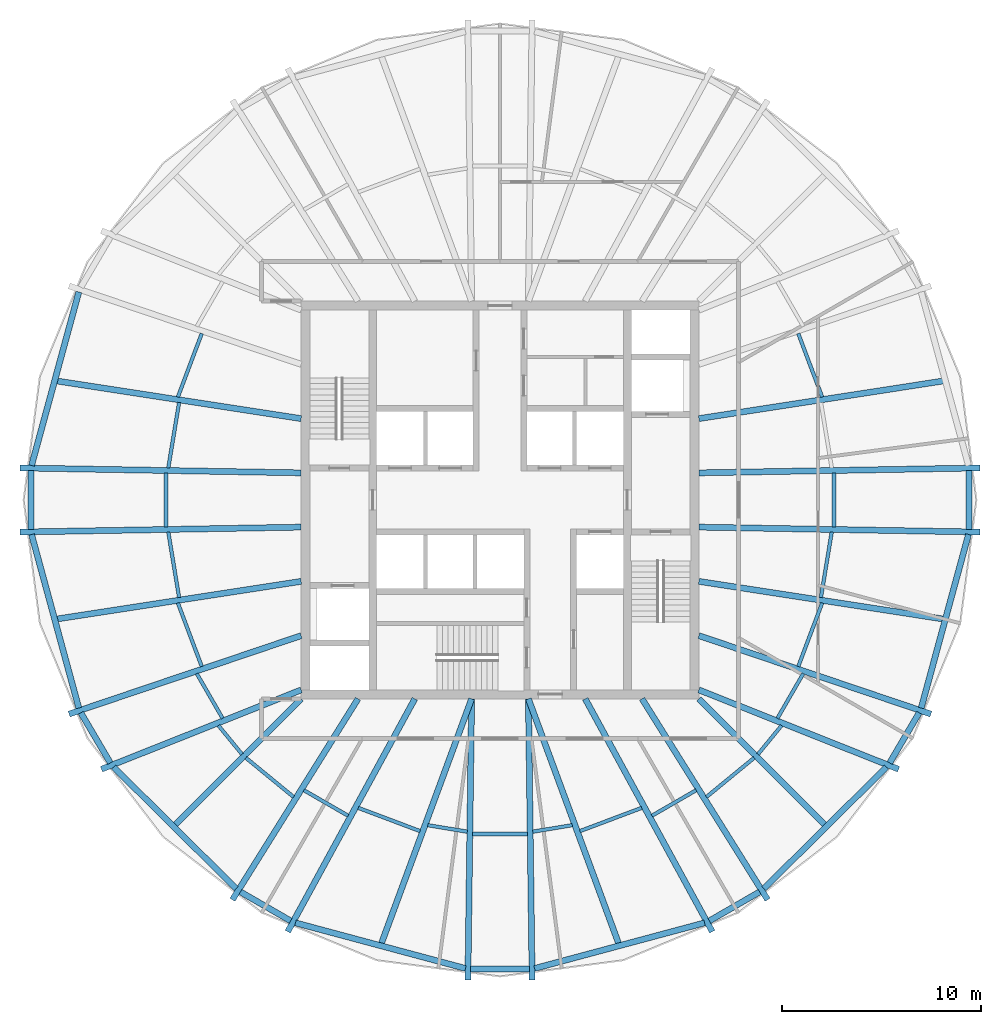
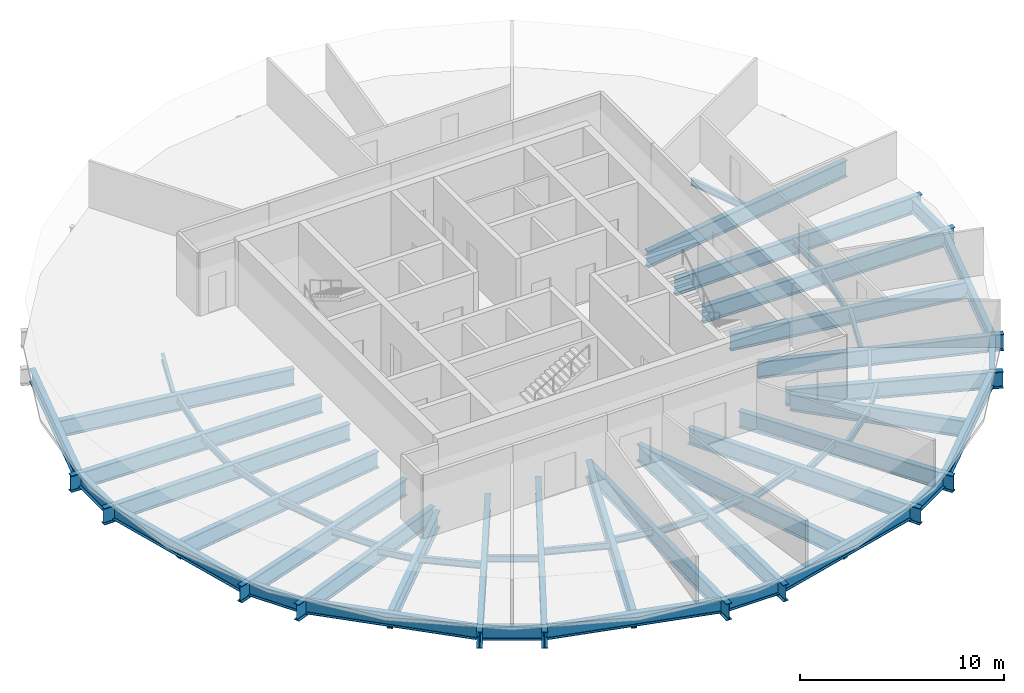
# One storey, part 1 of 6: 58 beams.
"""IFC4 building model written with IfcOpenShell, lengths in metres."""

from ifc_helpers import new_model, si_unit, direction, frame, origin, origin_2d, place, context, subcontext, project, spatial, i_section, extrude, material, material_profile, profile_set, type_object, element, save


model = new_model("IFC4")

# Units and contexts
model_context = context("Model", 3, precision=1e-05, world=origin(), true_north=direction((0.0, 1.0)))
body_context = subcontext(model_context, "Body", "Model", "MODEL_VIEW")
ifc_project = project(units=[si_unit("LENGTHUNIT", "METRE"), si_unit("AREAUNIT", "SQUARE_METRE"), si_unit("VOLUMEUNIT", "CUBIC_METRE"), si_unit("PLANEANGLEUNIT", "RADIAN"), si_unit("MASSUNIT", "GRAM", prefix="KILO")], contexts=[model_context])

# Site, building, storey
site_placement = place(None, origin())
site = spatial("IfcSite", under=ifc_project, at=site_placement, CompositionType="ELEMENT")
building_placement = place(site_placement, origin())
building = spatial("IfcBuilding", under=site, at=building_placement, Name="Golbaran Civic Tower", CompositionType="ELEMENT")
storey_placement = place(building_placement, frame((0.0, 0.0, 179.0)))
storey = spatial("IfcBuildingStorey", under=building, at=storey_placement, Name="L43", CompositionType="ELEMENT", Elevation=179.0)

# Beams
ifc_material = material(Name="Steel S355", Category="steel")
ifc_material_profile_1 = material_profile(ifc_material, i_section(OverallWidth=0.300048828125, OverallDepth=0.800048828125, WebThickness=0.017578125, FlangeThickness=0.032958984375, FilletRadius=0.030029296875, at=origin_2d()), Name="HEB 800")
ifc_profile_set_1 = profile_set([ifc_material_profile_1], Name="Steel S355")
beam_type_1 = type_object("IfcBeamType", Name="EDGE BEAM HEB 800", PredefinedType="BEAM", material=ifc_profile_set_1)
beam_1_placement = place(storey_placement, frame((-21.17919921875, 10.46044921875, -0.60009765625), z_axis=(-0.262877631047, -0.96482918234, 0.0), x_axis=(0.96482918234, -0.262877631047, 0.0)))
element("IfcBeam", 1, at=beam_1_placement, inside=storey, type_object=beam_type_1, Name="Edge beam 153.76 L43", PredefinedType="BEAM", context=body_context, shape_type="SweptSolid", body=[
    extrude(i_section(OverallWidth=0.300048828125, OverallDepth=0.800048828125, WebThickness=0.017578125, FlangeThickness=0.032958984375, FilletRadius=0.030029296875, at=origin_2d()), origin(), (0.0, 0.0, 1.0), 9.046630859375),
])
beam_2_placement = place(storey_placement, frame((-23.592529296875, 1.472412109375, -0.60009765625), z_axis=(0.0, -1.0, 0.0), x_axis=(1.0, 0.0, 0.0)))
element("IfcBeam", 2, at=beam_2_placement, inside=storey, type_object=beam_type_1, Name="Edge beam 176.24 L43", PredefinedType="BEAM", context=body_context, shape_type="SweptSolid", body=[
    extrude(i_section(OverallWidth=0.300048828125, OverallDepth=0.800048828125, WebThickness=0.017578125, FlangeThickness=0.032958984375, FilletRadius=0.030029296875, at=origin_2d()), origin(), (0.0, 0.0, 1.0), 2.94482421875),
])
beam_3_placement = place(storey_placement, frame((-23.557373046875, -1.73193359375, -0.60009765625), z_axis=(0.262877631047, -0.96482918234, 0.0), x_axis=(0.96482918234, 0.262877631047, 0.0)))
element("IfcBeam", 3, at=beam_3_placement, inside=storey, type_object=beam_type_1, Name="Edge beam 183.76 L43", PredefinedType="BEAM", context=body_context, shape_type="SweptSolid", body=[
    extrude(i_section(OverallWidth=0.300048828125, OverallDepth=0.800048828125, WebThickness=0.017578125, FlangeThickness=0.032958984375, FilletRadius=0.030029296875, at=origin_2d()), origin(), (0.0, 0.0, 1.0), 9.046630859375),
])
beam_4_placement = place(storey_placement, frame((-21.07763671875, -10.700439453125, -0.60009765625), z_axis=(0.506888784993, -0.862011461436, 0.0), x_axis=(0.862011461436, 0.506888784993, 0.0)))
element("IfcBeam", 4, at=beam_4_placement, inside=storey, type_object=beam_type_1, Name="Edge beam 206.24 L43", PredefinedType="BEAM", context=body_context, shape_type="SweptSolid", body=[
    extrude(i_section(OverallWidth=0.300048828125, OverallDepth=0.800048828125, WebThickness=0.017578125, FlangeThickness=0.032958984375, FilletRadius=0.030029296875, at=origin_2d()), origin(), (0.0, 0.0, 1.0), 2.924560546875),
])
beam_5_placement = place(storey_placement, frame((-19.427734375, -13.4345703125, -0.60009765625), z_axis=(0.710095375791, -0.704105501527, 0.0), x_axis=(0.704105501527, 0.710095375791, 0.0)))
element("IfcBeam", 5, at=beam_5_placement, inside=storey, type_object=beam_type_1, Name="Edge beam 213.76 L43", PredefinedType="BEAM", context=body_context, shape_type="SweptSolid", body=[
    extrude(i_section(OverallWidth=0.300048828125, OverallDepth=0.800048828125, WebThickness=0.017578125, FlangeThickness=0.032958984375, FilletRadius=0.030029296875, at=origin_2d()), origin(), (0.0, 0.0, 1.0), 8.681640625),
])
beam_6_placement = place(storey_placement, frame((-13.0556640625, -19.706298828125, -0.60009765625), z_axis=(0.866150770272, -0.49978279598, 0.0), x_axis=(0.49978279598, 0.866150770272, 0.0)))
element("IfcBeam", 6, at=beam_6_placement, inside=storey, type_object=beam_type_1, Name="Edge beam 236.24 L43", PredefinedType="BEAM", context=body_context, shape_type="SweptSolid", body=[
    extrude(i_section(OverallWidth=0.300048828125, OverallDepth=0.800048828125, WebThickness=0.017578125, FlangeThickness=0.032958984375, FilletRadius=0.030029296875, at=origin_2d()), origin(), (0.0, 0.0, 1.0), 2.918701171875),
])
beam_7_placement = place(storey_placement, frame((-10.28564453125, -21.2646484375, -0.60009765625), z_axis=(0.965860346356, -0.259063296007, 0.0), x_axis=(0.259063296007, 0.965860346356, 0.0)))
element("IfcBeam", 7, at=beam_7_placement, inside=storey, type_object=beam_type_1, Name="Edge beam 243.76 L43", PredefinedType="BEAM", context=body_context, shape_type="SweptSolid", body=[
    extrude(i_section(OverallWidth=0.300048828125, OverallDepth=0.800048828125, WebThickness=0.017578125, FlangeThickness=0.032958984375, FilletRadius=0.030029296875, at=origin_2d()), origin(), (0.0, 0.0, 1.0), 8.85107421875),
])
beam_8_placement = place(storey_placement, frame((-1.477294921875, -23.59228515625, -0.60009765625), z_axis=(1.0, 0.0, 0.0), x_axis=(0.0, 1.0, 0.0)))
element("IfcBeam", 8, at=beam_8_placement, inside=storey, type_object=beam_type_1, Name="Edge beam 266.24 L43", PredefinedType="BEAM", context=body_context, shape_type="SweptSolid", body=[
    extrude(i_section(OverallWidth=0.300048828125, OverallDepth=0.800048828125, WebThickness=0.017578125, FlangeThickness=0.032958984375, FilletRadius=0.030029296875, at=origin_2d()), origin(), (0.0, 0.0, 1.0), 2.95458984375),
])
beam_9_placement = place(storey_placement, frame((1.73681640625, -23.5576171875, -0.60009765625), z_axis=(0.965860346356, 0.259063296007, 0.0), x_axis=(-0.259063296007, 0.965860346356, 0.0)))
element("IfcBeam", 9, at=beam_9_placement, inside=storey, type_object=beam_type_1, Name="Edge beam 273.76 L43", PredefinedType="BEAM", context=body_context, shape_type="SweptSolid", body=[
    extrude(i_section(OverallWidth=0.300048828125, OverallDepth=0.800048828125, WebThickness=0.017578125, FlangeThickness=0.032958984375, FilletRadius=0.030029296875, at=origin_2d()), origin(), (0.0, 0.0, 1.0), 8.85107421875),
])
beam_10_placement = place(storey_placement, frame((10.527587890625, -21.1650390625, -0.60009765625), z_axis=(0.866150770272, 0.49978279598, 0.0), x_axis=(-0.49978279598, 0.866150770272, 0.0)))
element("IfcBeam", 10, at=beam_10_placement, inside=storey, type_object=beam_type_1, Name="Edge beam 296.24 L43", PredefinedType="BEAM", context=body_context, shape_type="SweptSolid", body=[
    extrude(i_section(OverallWidth=0.300048828125, OverallDepth=0.800048828125, WebThickness=0.017578125, FlangeThickness=0.032958984375, FilletRadius=0.030029296875, at=origin_2d()), origin(), (0.0, 0.0, 1.0), 2.918701171875),
])
beam_11_placement = place(storey_placement, frame((13.262939453125, -19.54736328125, -0.60009765625), z_axis=(0.710095375791, 0.704105501527, 0.0), x_axis=(-0.704105501527, 0.710095375791, 0.0)))
element("IfcBeam", 11, at=beam_11_placement, inside=storey, type_object=beam_type_1, Name="Edge beam 303.76 L43", PredefinedType="BEAM", context=body_context, shape_type="SweptSolid", body=[
    extrude(i_section(OverallWidth=0.300048828125, OverallDepth=0.800048828125, WebThickness=0.017578125, FlangeThickness=0.032958984375, FilletRadius=0.030029296875, at=origin_2d()), origin(), (0.0, 0.0, 1.0), 8.681640625),
])
beam_12_placement = place(storey_placement, frame((19.59521484375, -13.221435546875, -0.60009765625), z_axis=(0.506888784993, 0.862011461436, 0.0), x_axis=(-0.862011461436, 0.506888784993, 0.0)))
element("IfcBeam", 12, at=beam_12_placement, inside=storey, type_object=beam_type_1, Name="Edge beam 326.24 L43", PredefinedType="BEAM", context=body_context, shape_type="SweptSolid", body=[
    extrude(i_section(OverallWidth=0.300048828125, OverallDepth=0.800048828125, WebThickness=0.017578125, FlangeThickness=0.032958984375, FilletRadius=0.030029296875, at=origin_2d()), origin(), (0.0, 0.0, 1.0), 2.924560546875),
])
beam_13_placement = place(storey_placement, frame((21.17919921875, -10.46044921875, -0.60009765625), z_axis=(0.262877631047, 0.96482918234, 0.0), x_axis=(-0.96482918234, 0.262877631047, 0.0)))
element("IfcBeam", 13, at=beam_13_placement, inside=storey, type_object=beam_type_1, Name="Edge beam 333.76 L43", PredefinedType="BEAM", context=body_context, shape_type="SweptSolid", body=[
    extrude(i_section(OverallWidth=0.300048828125, OverallDepth=0.800048828125, WebThickness=0.017578125, FlangeThickness=0.032958984375, FilletRadius=0.030029296875, at=origin_2d()), origin(), (0.0, 0.0, 1.0), 9.046630859375),
])
beam_14_placement = place(storey_placement, frame((23.592529296875, -1.472412109375, -0.60009765625), z_axis=(0.0, 1.0, 0.0), x_axis=(-1.0, 0.0, 0.0)))
element("IfcBeam", 14, at=beam_14_placement, inside=storey, type_object=beam_type_1, Name="Edge beam 356.24 L43", PredefinedType="BEAM", context=body_context, shape_type="SweptSolid", body=[
    extrude(i_section(OverallWidth=0.300048828125, OverallDepth=0.800048828125, WebThickness=0.017578125, FlangeThickness=0.032958984375, FilletRadius=0.030029296875, at=origin_2d()), origin(), (0.0, 0.0, 1.0), 2.94482421875),
])
ifc_material_profile_2 = material_profile(ifc_material, i_section(OverallWidth=0.179931640625, OverallDepth=0.39990234375, WebThickness=0.008544921875, FlangeThickness=0.013427734375, FilletRadius=0.02099609375, at=origin_2d()), Name="IPE 400")
ifc_profile_set_2 = profile_set([ifc_material_profile_2], Name="Steel S355")
beam_type_2 = type_object("IfcBeamType", Name="FLOOR INFILL BEAM IPE 400", PredefinedType="BEAM", material=ifc_profile_set_2)
for number, where, z_axis, x_axis, name in (
    (15, (16.19970703125, 5.1787109375, -0.39990234375), (-0.352142499018, 0.935946398244, 0.0), (-0.935946398244, -0.352142499018, 0.0), "Infill beam 20.62 L43"),
    (16, (-14.998046875, 8.37255859375, -0.39990234375), (-0.352142499018, -0.935946398244, 0.0), (0.935946398244, -0.352142499018, 0.0), "Infill beam 159.38 L43"),
):
    element("IfcBeam", number, at=place(storey_placement, frame(where, z_axis=z_axis, x_axis=x_axis)), inside=storey, type_object=beam_type_2, Name=name, PredefinedType="BEAM", context=body_context, shape_type="SweptSolid", body=[
        extrude(i_section(OverallWidth=0.179931640625, OverallDepth=0.39990234375, WebThickness=0.008544921875, FlangeThickness=0.013427734375, FilletRadius=0.02099609375, at=origin_2d()), origin(), (0.0, 0.0, 1.0), 3.412353515625),
    ])
beam_15_placement = place(storey_placement, frame((-16.136962890625, 4.906005859375, -0.39990234375), z_axis=(-0.162964258479, -0.986631973158, 0.0), x_axis=(0.986631973158, -0.162964258479, 0.0)))
element("IfcBeam", 17, at=beam_15_placement, inside=storey, type_object=beam_type_2, Name="Infill beam 170.62 L43", PredefinedType="BEAM", context=body_context, shape_type="SweptSolid", body=[
    extrude(i_section(OverallWidth=0.179931640625, OverallDepth=0.39990234375, WebThickness=0.008544921875, FlangeThickness=0.013427734375, FilletRadius=0.02099609375, at=origin_2d()), origin(), (0.0, 0.0, 1.0), 3.33935546875),
])
beam_16_placement = place(storey_placement, frame((-16.79638671875, 1.353271484375, -0.39990234375), z_axis=(0.0, -1.0, 0.0), x_axis=(1.0, 0.0, 0.0)))
element("IfcBeam", 18, at=beam_16_placement, inside=storey, type_object=beam_type_2, Name="Infill beam 180.00 L43", PredefinedType="BEAM", context=body_context, shape_type="SweptSolid", body=[
    extrude(i_section(OverallWidth=0.179931640625, OverallDepth=0.39990234375, WebThickness=0.008544921875, FlangeThickness=0.013427734375, FilletRadius=0.02099609375, at=origin_2d()), origin(), (0.0, 0.0, 1.0), 2.70654296875),
])
beam_17_placement = place(storey_placement, frame((-16.68115234375, -1.611328125, -0.39990234375), z_axis=(0.162964258479, -0.986631973158, 0.0), x_axis=(0.986631973158, 0.162964258479, 0.0)))
element("IfcBeam", 19, at=beam_17_placement, inside=storey, type_object=beam_type_2, Name="Infill beam 189.38 L43", PredefinedType="BEAM", context=body_context, shape_type="SweptSolid", body=[
    extrude(i_section(OverallWidth=0.179931640625, OverallDepth=0.39990234375, WebThickness=0.008544921875, FlangeThickness=0.013427734375, FilletRadius=0.02099609375, at=origin_2d()), origin(), (0.0, 0.0, 1.0), 3.33935546875),
])
beam_18_placement = place(storey_placement, frame((-16.19970703125, -5.1787109375, -0.39990234375), z_axis=(0.352142499018, -0.935946398244, 0.0), x_axis=(0.935946398244, 0.352142499018, 0.0)))
element("IfcBeam", 20, at=beam_18_placement, inside=storey, type_object=beam_type_2, Name="Infill beam 200.62 L43", PredefinedType="BEAM", context=body_context, shape_type="SweptSolid", body=[
    extrude(i_section(OverallWidth=0.179931640625, OverallDepth=0.39990234375, WebThickness=0.008544921875, FlangeThickness=0.013427734375, FilletRadius=0.02099609375, at=origin_2d()), origin(), (0.0, 0.0, 1.0), 3.412353515625),
])
beam_19_placement = place(storey_placement, frame((-15.24755859375, -8.731201171875, -0.39990234375), z_axis=(0.499953160165, -0.866052445087, 0.0), x_axis=(0.866052445087, 0.499953160165, 0.0)))
element("IfcBeam", 21, at=beam_19_placement, inside=storey, type_object=beam_type_2, Name="Infill beam 210.00 L43", PredefinedType="BEAM", context=body_context, shape_type="SweptSolid", body=[
    extrude(i_section(OverallWidth=0.179931640625, OverallDepth=0.39990234375, WebThickness=0.008544921875, FlangeThickness=0.013427734375, FilletRadius=0.02099609375, at=origin_2d()), origin(), (0.0, 0.0, 1.0), 2.595458984375),
])
beam_20_placement = place(storey_placement, frame((-14.157958984375, -11.341552734375, -0.39990234375), z_axis=(0.634466610089, -0.77295027051, 0.0), x_axis=(0.77295027051, 0.634466610089, 0.0)))
element("IfcBeam", 22, at=beam_20_placement, inside=storey, type_object=beam_type_2, Name="Infill beam 219.38 L43", PredefinedType="BEAM", context=body_context, shape_type="SweptSolid", body=[
    extrude(i_section(OverallWidth=0.179931640625, OverallDepth=0.39990234375, WebThickness=0.008544921875, FlangeThickness=0.013427734375, FilletRadius=0.02099609375, at=origin_2d()), origin(), (0.0, 0.0, 1.0), 1.87060546875),
])
beam_21_placement = place(storey_placement, frame((-12.780517578125, -12.96435546875, -0.39990234375), z_axis=(0.772968577611, -0.634444306481, 0.0), x_axis=(0.634444306481, 0.772968577611, 0.0)))
element("IfcBeam", 23, at=beam_21_placement, inside=storey, type_object=beam_type_2, Name="Infill beam 230.62 L43", PredefinedType="BEAM", context=body_context, shape_type="SweptSolid", body=[
    extrude(i_section(OverallWidth=0.179931640625, OverallDepth=0.39990234375, WebThickness=0.008544921875, FlangeThickness=0.013427734375, FilletRadius=0.02099609375, at=origin_2d()), origin(), (0.0, 0.0, 1.0), 3.10546875),
])
beam_22_placement = place(storey_placement, frame((-9.861328125, -14.594970703125, -0.39990234375), z_axis=(0.866019052629, -0.500011000363, 0.0), x_axis=(0.500011000363, 0.866019052629, 0.0)))
element("IfcBeam", 24, at=beam_22_placement, inside=storey, type_object=beam_type_2, Name="Infill beam 240.00 L43", PredefinedType="BEAM", context=body_context, shape_type="SweptSolid", body=[
    extrude(i_section(OverallWidth=0.179931640625, OverallDepth=0.39990234375, WebThickness=0.008544921875, FlangeThickness=0.013427734375, FilletRadius=0.02099609375, at=origin_2d()), origin(), (0.0, 0.0, 1.0), 2.5634765625),
])
beam_23_placement = place(storey_placement, frame((-7.12890625, -15.480712890625, -0.39990234375), z_axis=(0.935917820676, -0.35221844492, 0.0), x_axis=(0.35221844492, 0.935917820676, 0.0)))
element("IfcBeam", 25, at=beam_23_placement, inside=storey, type_object=beam_type_2, Name="Infill beam 249.38 L43", PredefinedType="BEAM", context=body_context, shape_type="SweptSolid", body=[
    extrude(i_section(OverallWidth=0.179931640625, OverallDepth=0.39990234375, WebThickness=0.008544921875, FlangeThickness=0.013427734375, FilletRadius=0.02099609375, at=origin_2d()), origin(), (0.0, 0.0, 1.0), 3.322265625),
])
beam_24_placement = place(storey_placement, frame((-3.63232421875, -16.352294921875, -0.39990234375), z_axis=(0.986622441965, -0.163021952545, 0.0), x_axis=(0.163021952545, 0.986622441965, 0.0)))
element("IfcBeam", 26, at=beam_24_placement, inside=storey, type_object=beam_type_2, Name="Infill beam 260.62 L43", PredefinedType="BEAM", context=body_context, shape_type="SweptSolid", body=[
    extrude(i_section(OverallWidth=0.179931640625, OverallDepth=0.39990234375, WebThickness=0.008544921875, FlangeThickness=0.013427734375, FilletRadius=0.02099609375, at=origin_2d()), origin(), (0.0, 0.0, 1.0), 2.0126953125),
])
beam_25_placement = place(storey_placement, frame((-1.387939453125, -16.796142578125, -0.39990234375), z_axis=(1.0, 0.0, 0.0), x_axis=(0.0, 1.0, 0.0)))
element("IfcBeam", 27, at=beam_25_placement, inside=storey, type_object=beam_type_2, Name="Infill beam 270.00 L43", PredefinedType="BEAM", context=body_context, shape_type="SweptSolid", body=[
    extrude(i_section(OverallWidth=0.179931640625, OverallDepth=0.39990234375, WebThickness=0.008544921875, FlangeThickness=0.013427734375, FilletRadius=0.02099609375, at=origin_2d()), origin(), (0.0, 0.0, 1.0), 2.77587890625),
])
beam_26_placement = place(storey_placement, frame((1.646484375, -16.680419921875, -0.39990234375), z_axis=(0.986622441965, 0.163021952545, 0.0), x_axis=(-0.163021952545, 0.986622441965, 0.0)))
element("IfcBeam", 28, at=beam_26_placement, inside=storey, type_object=beam_type_2, Name="Infill beam 279.38 L43", PredefinedType="BEAM", context=body_context, shape_type="SweptSolid", body=[
    extrude(i_section(OverallWidth=0.179931640625, OverallDepth=0.39990234375, WebThickness=0.008544921875, FlangeThickness=0.013427734375, FilletRadius=0.02099609375, at=origin_2d()), origin(), (0.0, 0.0, 1.0), 2.0126953125),
])
beam_27_placement = place(storey_placement, frame((4.01953125, -16.65087890625, -0.39990234375), z_axis=(0.935917820676, 0.35221844492, 0.0), x_axis=(-0.35221844492, 0.935917820676, 0.0)))
element("IfcBeam", 29, at=beam_27_placement, inside=storey, type_object=beam_type_2, Name="Infill beam 290.62 L43", PredefinedType="BEAM", context=body_context, shape_type="SweptSolid", body=[
    extrude(i_section(OverallWidth=0.179931640625, OverallDepth=0.39990234375, WebThickness=0.008544921875, FlangeThickness=0.013427734375, FilletRadius=0.02099609375, at=origin_2d()), origin(), (0.0, 0.0, 1.0), 3.322265625),
])
beam_28_placement = place(storey_placement, frame((7.641357421875, -15.876708984375, -0.39990234375), z_axis=(0.866019052629, 0.500011000363, 0.0), x_axis=(-0.500011000363, 0.866019052629, 0.0)))
element("IfcBeam", 30, at=beam_28_placement, inside=storey, type_object=beam_type_2, Name="Infill beam 300.00 L43", PredefinedType="BEAM", context=body_context, shape_type="SweptSolid", body=[
    extrude(i_section(OverallWidth=0.179931640625, OverallDepth=0.39990234375, WebThickness=0.008544921875, FlangeThickness=0.013427734375, FilletRadius=0.02099609375, at=origin_2d()), origin(), (0.0, 0.0, 1.0), 2.5634765625),
])
beam_29_placement = place(storey_placement, frame((10.380126953125, -14.9345703125, -0.39990234375), z_axis=(0.772968577611, 0.634444306481, 0.0), x_axis=(-0.634444306481, 0.772968577611, 0.0)))
element("IfcBeam", 31, at=beam_29_placement, inside=storey, type_object=beam_type_2, Name="Infill beam 309.38 L43", PredefinedType="BEAM", context=body_context, shape_type="SweptSolid", body=[
    extrude(i_section(OverallWidth=0.179931640625, OverallDepth=0.39990234375, WebThickness=0.008544921875, FlangeThickness=0.013427734375, FilletRadius=0.02099609375, at=origin_2d()), origin(), (0.0, 0.0, 1.0), 3.10546875),
])
beam_30_placement = place(storey_placement, frame((12.97119140625, -12.787353515625, -0.39990234375), z_axis=(0.634466610089, 0.77295027051, 0.0), x_axis=(-0.77295027051, 0.634466610089, 0.0)))
element("IfcBeam", 32, at=beam_30_placement, inside=storey, type_object=beam_type_2, Name="Infill beam 320.62 L43", PredefinedType="BEAM", context=body_context, shape_type="SweptSolid", body=[
    extrude(i_section(OverallWidth=0.179931640625, OverallDepth=0.39990234375, WebThickness=0.008544921875, FlangeThickness=0.013427734375, FilletRadius=0.02099609375, at=origin_2d()), origin(), (0.0, 0.0, 1.0), 1.87060546875),
])
beam_31_placement = place(storey_placement, frame((13.949951171875, -10.97900390625, -0.39990234375), z_axis=(0.499953160165, 0.866052445087, 0.0), x_axis=(-0.866052445087, 0.499953160165, 0.0)))
element("IfcBeam", 33, at=beam_31_placement, inside=storey, type_object=beam_type_2, Name="Infill beam 330.00 L43", PredefinedType="BEAM", context=body_context, shape_type="SweptSolid", body=[
    extrude(i_section(OverallWidth=0.179931640625, OverallDepth=0.39990234375, WebThickness=0.008544921875, FlangeThickness=0.013427734375, FilletRadius=0.02099609375, at=origin_2d()), origin(), (0.0, 0.0, 1.0), 2.595458984375),
])
beam_32_placement = place(storey_placement, frame((14.998046875, -8.37255859375, -0.39990234375), z_axis=(0.352142499018, 0.935946398244, 0.0), x_axis=(-0.935946398244, 0.352142499018, 0.0)))
element("IfcBeam", 34, at=beam_32_placement, inside=storey, type_object=beam_type_2, Name="Infill beam 339.38 L43", PredefinedType="BEAM", context=body_context, shape_type="SweptSolid", body=[
    extrude(i_section(OverallWidth=0.179931640625, OverallDepth=0.39990234375, WebThickness=0.008544921875, FlangeThickness=0.013427734375, FilletRadius=0.02099609375, at=origin_2d()), origin(), (0.0, 0.0, 1.0), 3.412353515625),
])
beam_33_placement = place(storey_placement, frame((16.136962890625, -4.906005859375, -0.39990234375), z_axis=(0.162964258479, 0.986631973158, 0.0), x_axis=(-0.986631973158, 0.162964258479, 0.0)))
element("IfcBeam", 35, at=beam_33_placement, inside=storey, type_object=beam_type_2, Name="Infill beam 350.62 L43", PredefinedType="BEAM", context=body_context, shape_type="SweptSolid", body=[
    extrude(i_section(OverallWidth=0.179931640625, OverallDepth=0.39990234375, WebThickness=0.008544921875, FlangeThickness=0.013427734375, FilletRadius=0.02099609375, at=origin_2d()), origin(), (0.0, 0.0, 1.0), 3.33935546875),
])
beam_34_placement = place(storey_placement, frame((16.79638671875, -1.353271484375, -0.39990234375), z_axis=(0.0, 1.0, 0.0), x_axis=(-1.0, 0.0, 0.0)))
element("IfcBeam", 36, at=beam_34_placement, inside=storey, type_object=beam_type_2, Name="Infill beam 0.00 L43", PredefinedType="BEAM", context=body_context, shape_type="SweptSolid", body=[
    extrude(i_section(OverallWidth=0.179931640625, OverallDepth=0.39990234375, WebThickness=0.008544921875, FlangeThickness=0.013427734375, FilletRadius=0.02099609375, at=origin_2d()), origin(), (0.0, 0.0, 1.0), 2.70654296875),
])
ifc_material_profile_3 = material_profile(ifc_material, i_section(OverallWidth=0.300048828125, OverallDepth=1.0, WebThickness=0.01904296875, FlangeThickness=0.035888671875, FilletRadius=0.030029296875, at=origin_2d()), Name="HEB 1000")
ifc_profile_set_3 = profile_set([ifc_material_profile_3], Name="Steel S355")
beam_type_3 = type_object("IfcBeamType", Name="RADIAL FLOOR BEAM HEB 1000", PredefinedType="BEAM", material=ifc_profile_set_3)
for number, where, z_axis, x_axis, name in (
    (37, (10.0, 1.3642578125, -0.7099609375), (0.999846381019, 0.01752753155, 0.0), (-0.01752753155, 0.999846381019, 0.0), "Radial beam 3.76 L43"),
    (38, (-10.0, 1.3642578125, -0.7099609375), (-0.999846381019, 0.01752753155, 0.0), (-0.01752753155, -0.999846381019, 0.0), "Radial beam 176.24 L43"),
    (39, (-10.0, -1.3642578125, -0.7099609375), (-0.999846381019, -0.01752753155, 0.0), (0.01752753155, -0.999846381019, 0.0), "Radial beam 183.76 L43"),
):
    element("IfcBeam", number, at=place(storey_placement, frame(where, z_axis=z_axis, x_axis=x_axis)), inside=storey, type_object=beam_type_3, Name=name, PredefinedType="BEAM", context=body_context, shape_type="SweptSolid", body=[
        extrude(i_section(OverallWidth=0.300048828125, OverallDepth=1.0, WebThickness=0.01904296875, FlangeThickness=0.035888671875, FilletRadius=0.030029296875, at=origin_2d()), origin(), (0.0, 0.0, 1.0), 14.137939453125),
    ])
beam_35_placement = place(storey_placement, frame((-10.0, -6.821533203125, -0.7099609375), z_axis=(-0.947412886185, -0.320013785783, 0.0), x_axis=(0.320013785783, -0.947412886185, 0.0)))
element("IfcBeam", 40, at=beam_35_placement, inside=storey, type_object=beam_type_3, Name="Radial beam 206.24 L43", PredefinedType="BEAM", context=body_context, shape_type="SweptSolid", body=[
    extrude(i_section(OverallWidth=0.300048828125, OverallDepth=1.0, WebThickness=0.01904296875, FlangeThickness=0.035888671875, FilletRadius=0.030029296875, at=origin_2d()), origin(), (0.0, 0.0, 1.0), 12.31494140625),
])
beam_36_placement = place(storey_placement, frame((-10.0, -9.550048828125, -0.7099609375), z_axis=(-0.929366846238, -0.369157507188, 0.0), x_axis=(0.369157507188, -0.929366846238, 0.0)))
element("IfcBeam", 41, at=beam_36_placement, inside=storey, type_object=beam_type_3, Name="Radial beam 213.76 L43", PredefinedType="BEAM", context=body_context, shape_type="SweptSolid", body=[
    extrude(i_section(OverallWidth=0.300048828125, OverallDepth=1.0, WebThickness=0.01904296875, FlangeThickness=0.035888671875, FilletRadius=0.030029296875, at=origin_2d()), origin(), (0.0, 0.0, 1.0), 10.8056640625),
])
beam_37_placement = place(storey_placement, frame((-7.142822265625, -10.0, -0.7099609375), z_axis=(-0.529974990814, -0.848013271778, 0.0), x_axis=(0.848013271778, -0.529974990814, 0.0)))
element("IfcBeam", 42, at=beam_37_placement, inside=storey, type_object=beam_type_3, Name="Radial beam 236.24 L43", PredefinedType="BEAM", context=body_context, shape_type="SweptSolid", body=[
    extrude(i_section(OverallWidth=0.300048828125, OverallDepth=1.0, WebThickness=0.01904296875, FlangeThickness=0.035888671875, FilletRadius=0.030029296875, at=origin_2d()), origin(), (0.0, 0.0, 1.0), 11.912353515625),
])
beam_38_placement = place(storey_placement, frame((-4.28564453125, -10.0, -0.7099609375), z_axis=(-0.479076563004, -0.877773118055, 0.0), x_axis=(0.877773118055, -0.479076563004, 0.0)))
element("IfcBeam", 43, at=beam_38_placement, inside=storey, type_object=beam_type_3, Name="Radial beam 243.76 L43", PredefinedType="BEAM", context=body_context, shape_type="SweptSolid", body=[
    extrude(i_section(OverallWidth=0.300048828125, OverallDepth=1.0, WebThickness=0.01904296875, FlangeThickness=0.035888671875, FilletRadius=0.030029296875, at=origin_2d()), origin(), (0.0, 0.0, 1.0), 13.3369140625),
])
for number, where, z_axis, x_axis, name in (
    (44, (-1.428466796875, -10.0, -0.7099609375), (-0.013159709431, -0.999913407275, 0.0), (0.999913407275, -0.013159709431, 0.0), "Radial beam 266.24 L43"),
    (45, (1.428466796875, -10.0, -0.7099609375), (0.013159709431, -0.999913407275, 0.0), (0.999913407275, 0.013159709431, 0.0), "Radial beam 273.76 L43"),
):
    element("IfcBeam", number, at=place(storey_placement, frame(where, z_axis=z_axis, x_axis=x_axis)), inside=storey, type_object=beam_type_3, Name=name, PredefinedType="BEAM", context=body_context, shape_type="SweptSolid", body=[
        extrude(i_section(OverallWidth=0.300048828125, OverallDepth=1.0, WebThickness=0.01904296875, FlangeThickness=0.035888671875, FilletRadius=0.030029296875, at=origin_2d()), origin(), (0.0, 0.0, 1.0), 14.13671875),
    ])
beam_39_placement = place(storey_placement, frame((4.28564453125, -10.0, -0.7099609375), z_axis=(0.479076563004, -0.877773118055, 0.0), x_axis=(0.877773118055, 0.479076563004, 0.0)))
element("IfcBeam", 46, at=beam_39_placement, inside=storey, type_object=beam_type_3, Name="Radial beam 296.24 L43", PredefinedType="BEAM", context=body_context, shape_type="SweptSolid", body=[
    extrude(i_section(OverallWidth=0.300048828125, OverallDepth=1.0, WebThickness=0.01904296875, FlangeThickness=0.035888671875, FilletRadius=0.030029296875, at=origin_2d()), origin(), (0.0, 0.0, 1.0), 13.3369140625),
])
beam_40_placement = place(storey_placement, frame((7.142822265625, -10.0, -0.7099609375), z_axis=(0.529974990814, -0.848013271778, 0.0), x_axis=(0.848013271778, 0.529974990814, 0.0)))
element("IfcBeam", 47, at=beam_40_placement, inside=storey, type_object=beam_type_3, Name="Radial beam 303.76 L43", PredefinedType="BEAM", context=body_context, shape_type="SweptSolid", body=[
    extrude(i_section(OverallWidth=0.300048828125, OverallDepth=1.0, WebThickness=0.01904296875, FlangeThickness=0.035888671875, FilletRadius=0.030029296875, at=origin_2d()), origin(), (0.0, 0.0, 1.0), 11.912353515625),
])
beam_41_placement = place(storey_placement, frame((10.0, -9.550048828125, -0.7099609375), z_axis=(0.929366846238, -0.369157507188, 0.0), x_axis=(0.369157507188, 0.929366846238, 0.0)))
element("IfcBeam", 48, at=beam_41_placement, inside=storey, type_object=beam_type_3, Name="Radial beam 326.24 L43", PredefinedType="BEAM", context=body_context, shape_type="SweptSolid", body=[
    extrude(i_section(OverallWidth=0.300048828125, OverallDepth=1.0, WebThickness=0.01904296875, FlangeThickness=0.035888671875, FilletRadius=0.030029296875, at=origin_2d()), origin(), (0.0, 0.0, 1.0), 10.8056640625),
])
beam_42_placement = place(storey_placement, frame((10.0, -6.821533203125, -0.7099609375), z_axis=(0.947412886185, -0.320013785783, 0.0), x_axis=(0.320013785783, 0.947412886185, 0.0)))
element("IfcBeam", 49, at=beam_42_placement, inside=storey, type_object=beam_type_3, Name="Radial beam 333.76 L43", PredefinedType="BEAM", context=body_context, shape_type="SweptSolid", body=[
    extrude(i_section(OverallWidth=0.300048828125, OverallDepth=1.0, WebThickness=0.01904296875, FlangeThickness=0.035888671875, FilletRadius=0.030029296875, at=origin_2d()), origin(), (0.0, 0.0, 1.0), 12.31494140625),
])
beam_43_placement = place(storey_placement, frame((10.0, -1.3642578125, -0.7099609375), z_axis=(0.999846381019, -0.01752753155, 0.0), x_axis=(0.01752753155, 0.999846381019, 0.0)))
element("IfcBeam", 50, at=beam_43_placement, inside=storey, type_object=beam_type_3, Name="Radial beam 356.24 L43", PredefinedType="BEAM", context=body_context, shape_type="SweptSolid", body=[
    extrude(i_section(OverallWidth=0.300048828125, OverallDepth=1.0, WebThickness=0.01904296875, FlangeThickness=0.035888671875, FilletRadius=0.030029296875, at=origin_2d()), origin(), (0.0, 0.0, 1.0), 14.137939453125),
])
ifc_material_profile_4 = material_profile(ifc_material, i_section(OverallWidth=0.300048828125, OverallDepth=1.0, WebThickness=0.01904296875, FlangeThickness=0.035888671875, FilletRadius=0.030029296875, at=origin_2d()), Name="HEB 1000")
ifc_profile_set_4 = profile_set([ifc_material_profile_4], Name="Steel S355")
beam_type_4 = type_object("IfcBeamType", Name="SECONDARY FLOOR BEAM HEB 1000", PredefinedType="BEAM", material=ifc_profile_set_4)
for number, where, z_axis, x_axis, name in (
    (51, (10.0, 4.0927734375, -0.7099609375), (0.988360891788, 0.152127405764, 0.0), (-0.152127405764, 0.988360891788, 0.0), "Secondary beam 15.00 L43"),
    (52, (-10.0, 4.0927734375, -0.7099609375), (-0.988360891788, 0.152127405764, 0.0), (-0.152127405764, -0.988360891788, 0.0), "Secondary beam 165.00 L43"),
    (53, (-10.0, -4.0927734375, -0.7099609375), (-0.988360891788, -0.152127405764, 0.0), (0.152127405764, -0.988360891788, 0.0), "Secondary beam 195.00 L43"),
):
    element("IfcBeam", number, at=place(storey_placement, frame(where, z_axis=z_axis, x_axis=x_axis)), inside=storey, type_object=beam_type_4, Name=name, PredefinedType="BEAM", context=body_context, shape_type="SweptSolid", body=[
        extrude(i_section(OverallWidth=0.300048828125, OverallDepth=1.0, WebThickness=0.01904296875, FlangeThickness=0.035888671875, FilletRadius=0.030029296875, at=origin_2d()), origin(), (0.0, 0.0, 1.0), 12.540283203125),
    ])
beam_44_placement = place(storey_placement, frame((-10.0, -10.0, -0.7099609375), z_axis=(-0.707106781187, -0.707106781187, 0.0), x_axis=(0.707106781187, -0.707106781187, 0.0)))
element("IfcBeam", 54, at=beam_44_placement, inside=storey, type_object=beam_type_4, Name="Secondary beam 225.00 L43", PredefinedType="BEAM", context=body_context, shape_type="SweptSolid", body=[
    extrude(i_section(OverallWidth=0.300048828125, OverallDepth=1.0, WebThickness=0.01904296875, FlangeThickness=0.035888671875, FilletRadius=0.030029296875, at=origin_2d()), origin(), (0.0, 0.0, 1.0), 9.0771484375),
])
for number, where, z_axis, x_axis, name in (
    (55, (-1.428466796875, -10.0, -0.7099609375), (-0.345961049307, -0.938248875492, 0.0), (0.938248875492, -0.345961049307, 0.0), "Secondary beam 255.00 L43"),
    (56, (1.428466796875, -10.0, -0.7099609375), (0.345961049307, -0.938248875492, 0.0), (0.938248875492, 0.345961049307, 0.0), "Secondary beam 285.00 L43"),
):
    element("IfcBeam", number, at=place(storey_placement, frame(where, z_axis=z_axis, x_axis=x_axis)), inside=storey, type_object=beam_type_4, Name=name, PredefinedType="BEAM", context=body_context, shape_type="SweptSolid", body=[
        extrude(i_section(OverallWidth=0.300048828125, OverallDepth=1.0, WebThickness=0.01904296875, FlangeThickness=0.035888671875, FilletRadius=0.030029296875, at=origin_2d()), origin(), (0.0, 0.0, 1.0), 13.2294921875),
    ])
beam_45_placement = place(storey_placement, frame((10.0, -10.0, -0.7099609375), z_axis=(0.707106781187, -0.707106781187, 0.0), x_axis=(0.707106781187, 0.707106781187, 0.0)))
element("IfcBeam", 57, at=beam_45_placement, inside=storey, type_object=beam_type_4, Name="Secondary beam 315.00 L43", PredefinedType="BEAM", context=body_context, shape_type="SweptSolid", body=[
    extrude(i_section(OverallWidth=0.300048828125, OverallDepth=1.0, WebThickness=0.01904296875, FlangeThickness=0.035888671875, FilletRadius=0.030029296875, at=origin_2d()), origin(), (0.0, 0.0, 1.0), 9.0771484375),
])
beam_46_placement = place(storey_placement, frame((10.0, -4.0927734375, -0.7099609375), z_axis=(0.988360891788, -0.152127405764, 0.0), x_axis=(0.152127405764, 0.988360891788, 0.0)))
element("IfcBeam", 58, at=beam_46_placement, inside=storey, type_object=beam_type_4, Name="Secondary beam 345.00 L43", PredefinedType="BEAM", context=body_context, shape_type="SweptSolid", body=[
    extrude(i_section(OverallWidth=0.300048828125, OverallDepth=1.0, WebThickness=0.01904296875, FlangeThickness=0.035888671875, FilletRadius=0.030029296875, at=origin_2d()), origin(), (0.0, 0.0, 1.0), 12.540283203125),
])

save(model, "model.ifc")
